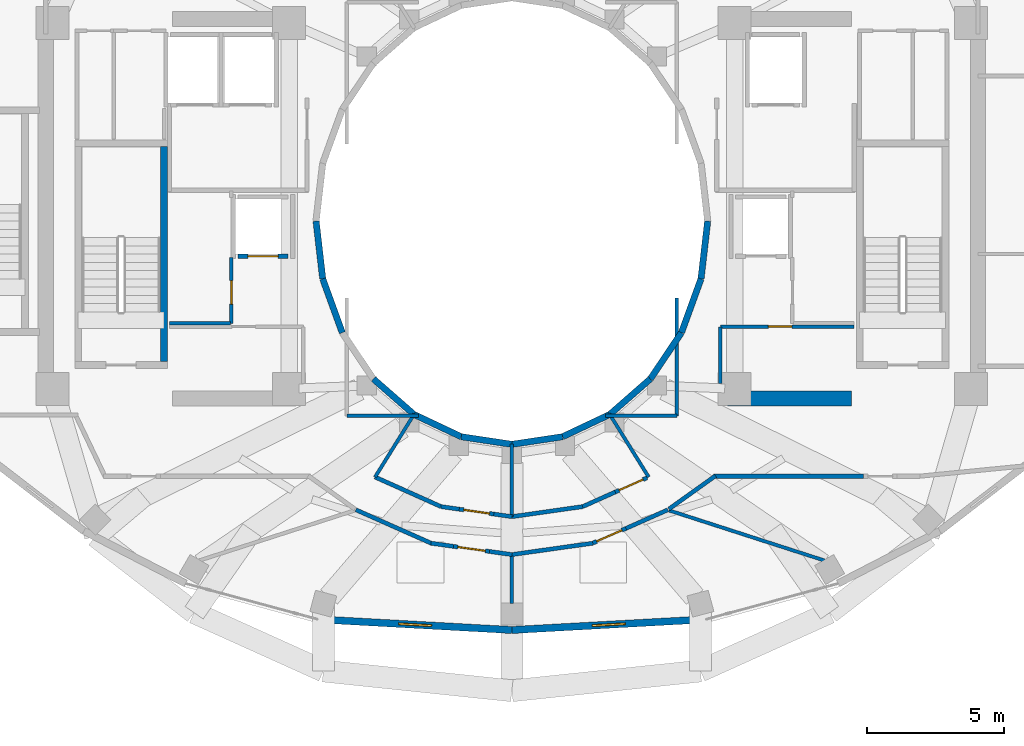
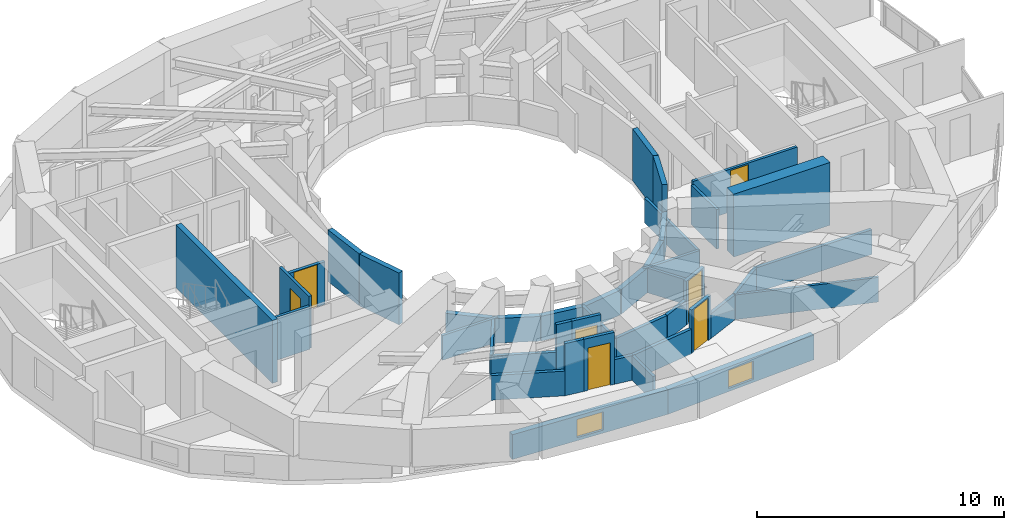
# One storey, part 12 of 19: 44 walls, 7 doors, 2 windows, 9 openings.
"""IFC4 building model written with IfcOpenShell, lengths in metres."""

import ifcopenshell
import ifcopenshell.guid

model = None  # the IFC model being written
_history = None  # IfcOwnerHistory: only IFC2X3 demands one
_inside = {}  # id of a spatial element -> (the spatial element, [elements in it])
_under = {}  # id of a project, library or spatial element -> (it, [spatial elements below it])
_declared = {}  # id of a project -> (the project, [libraries it declares])
_typed = {}  # id of a type object -> (the type object, [elements of that type])
_made_of = {}  # id of a material, layer set ... -> (it, [elements and type objects made of it])


def new_model(schema):
    """Start an empty IFC model of exactly this schema.

    Asked for "IFC4X3", IfcOpenShell would pick the latest addendum, in which some entities
    have other attributes; the version numbers below select the first issue.
    IFC2X3 requires an IfcOwnerHistory on every rooted entity: one is made here for all.
    """
    global model, _history
    if schema == "IFC4X3":
        model = ifcopenshell.file(schema_version=(4, 3, 0, 0))
    else:
        model = ifcopenshell.file(schema=schema)
    _inside.clear()
    _under.clear()
    _declared.clear()
    _typed.clear()
    _made_of.clear()
    _history = None
    if model.schema == "IFC2X3":
        org = make("IfcOrganization", Name="unknown")
        user = make(
            "IfcPersonAndOrganization",
            ThePerson=make("IfcPerson", FamilyName="unknown"),
            TheOrganization=org,
        )
        app = make(
            "IfcApplication",
            ApplicationDeveloper=org,
            Version="unknown",
            ApplicationFullName="unknown",
            ApplicationIdentifier="unknown",
        )
        _history = make(
            "IfcOwnerHistory",
            OwningUser=user,
            OwningApplication=app,
            ChangeAction="ADDED",
            CreationDate=0,
        )
    return model


def make(cls, **values):
    """One entity of the class cls with the attributes given. An attribute that is None is left unset."""
    return model.create_entity(
        cls, **{name: value for name, value in values.items() if value is not None}
    )


def rooted(cls, **values):
    """An entity with a GlobalId (a new one), such as an element, a storey or a relation."""
    return make(cls, GlobalId=ifcopenshell.guid.new(), OwnerHistory=_history, **values)


def si_unit(unit_type, name, prefix=None):
    """IfcSIUnit, for example si_unit("LENGTHUNIT", "METRE", prefix="MILLI")."""
    return make("IfcSIUnit", UnitType=unit_type, Prefix=prefix, Name=name)


def assignment(units):
    """IfcUnitAssignment: the units of a project."""
    return None if units is None else make("IfcUnitAssignment", Units=units)


def point(xyz):
    """IfcCartesianPoint."""
    return None if xyz is None else make("IfcCartesianPoint", Coordinates=xyz)


def direction(xyz):
    """IfcDirection."""
    return None if xyz is None else make("IfcDirection", DirectionRatios=xyz)


def frame(location, z_axis=None, x_axis=None):
    """IfcAxis2Placement3D, a coordinate frame: its origin and axes. An axis left out is left unset."""
    return make(
        "IfcAxis2Placement3D",
        Location=point(location),
        Axis=direction(z_axis),
        RefDirection=direction(x_axis),
    )


def frame_2d(location, x_axis=None):
    """IfcAxis2Placement2D, a coordinate frame in the plane: its origin and x axis."""
    return make(
        "IfcAxis2Placement2D", Location=point(location), RefDirection=direction(x_axis)
    )


def origin():
    """The frame at (0, 0, 0) with its axes left unset."""
    return frame((0.0, 0.0, 0.0))


def place(relative_to, where):
    """IfcLocalPlacement: puts the frame where relative to a parent placement (None: the world)."""
    return make(
        "IfcLocalPlacement", PlacementRelTo=relative_to, RelativePlacement=where
    )


def context(
    kind, dimensions, precision=None, world=None, true_north=None, identifier=None
):
    """IfcGeometricRepresentationContext, for example the 3D "Model" context."""
    return make(
        "IfcGeometricRepresentationContext",
        ContextIdentifier=identifier,
        ContextType=kind,
        CoordinateSpaceDimension=dimensions,
        Precision=precision,
        WorldCoordinateSystem=world,
        TrueNorth=true_north,
    )


def subcontext(parent, identifier, kind, view, scale=None):
    """IfcGeometricRepresentationSubContext, for example "Body" below "Model"."""
    return make(
        "IfcGeometricRepresentationSubContext",
        ContextIdentifier=identifier,
        ContextType=kind,
        ParentContext=parent,
        TargetScale=scale,
        TargetView=view,
    )


def project(units=None, contexts=None):
    """IfcProject with its units and contexts."""
    return rooted(
        "IfcProject",
        Name="project",
        RepresentationContexts=contexts,
        UnitsInContext=assignment(units),
    )


def spatial(cls, under=None, at=None, **own):
    """A site, building, storey or space (cls), placed at a placement, below another one or the project."""
    s = rooted(cls, ObjectPlacement=at, **own)
    if under is not None:
        _under.setdefault(under.id(), (under, []))[1].append(s)
    return s


def profile(cls, at=None, kind="AREA", **sizes):
    """A parametric profile (cls). Its sizes go by their IFC names, for example OverallWidth=200.0."""
    return make(cls, ProfileType=kind, Position=at, **sizes)


def rectangle(**sizes):
    """IfcRectangleProfileDef."""
    return profile("IfcRectangleProfileDef", **sizes)


def extrude(swept, where, along, depth):
    """IfcExtrudedAreaSolid: the profile swept, set in the frame where, extruded along a direction by depth."""
    return make(
        "IfcExtrudedAreaSolid",
        SweptArea=swept,
        Position=where,
        ExtrudedDirection=direction(along),
        Depth=depth,
    )


def shape(context_of_items, identifier, shape_type, items):
    """IfcShapeRepresentation: the items that make up one representation, for example the "Body"."""
    return make(
        "IfcShapeRepresentation",
        ContextOfItems=context_of_items,
        RepresentationIdentifier=identifier,
        RepresentationType=shape_type,
        Items=items,
    )


def material(Name=None, Category=None):
    """IfcMaterial."""
    return make("IfcMaterial", Name=Name, Category=Category)


def layer(
    of_material, thickness, ventilated=None, Name=None, Category=None, Priority=None
):
    """IfcMaterialLayer: one layer of a wall or slab, of a material (None: an air gap)."""
    return make(
        "IfcMaterialLayer",
        Material=of_material,
        LayerThickness=thickness,
        IsVentilated=ventilated,
        Name=Name,
        Category=Category,
        Priority=Priority,
    )


def layer_set(layers, Name=None):
    """IfcMaterialLayerSet."""
    return make("IfcMaterialLayerSet", MaterialLayers=layers, LayerSetName=Name)


def made_of(thing, what):
    """Note that an element or type object is made of a material, layer set ...; save() writes the relation."""
    if what is not None:
        _made_of.setdefault(what.id(), (what, []))[1].append(thing)
    return thing


def type_object(cls, material=None, **own):
    """A type object (cls), such as IfcWallType, which elements share."""
    return made_of(rooted(cls, **own), material)


def element(
    cls,
    number,
    at=None,
    inside=None,
    cuts=None,
    type_object=None,
    material=None,
    context=None,
    identifier="Body",
    shape_type=None,
    held_by="IfcProductDefinitionShape",
    body=None,
    shapes=None,
    **own,
):
    """One element of the class cls, such as IfcWall. Its Tag is "e" and its number.

    at: its placement. inside: the storey or other place that contains it. cuts: it is an
    opening in that element (IfcRelVoidsElement). A single representation is given by context,
    identifier, shape_type and body (its items); several are given by shapes. held_by: the class
    of the entity that holds the representations. save() writes the other relations.
    """
    e = rooted(cls, Tag="e%d" % number, ObjectPlacement=at, **own)
    if body is not None:
        shapes = [shape(context, identifier, shape_type, body)]
    if shapes is not None:
        e.Representation = make(held_by, Representations=shapes)
    if inside is not None:
        _inside.setdefault(inside.id(), (inside, []))[1].append(e)
    if cuts is not None:
        rooted(
            "IfcRelVoidsElement", RelatingBuildingElement=cuts, RelatedOpeningElement=e
        )
    if type_object is not None:
        _typed.setdefault(type_object.id(), (type_object, []))[1].append(e)
    return made_of(e, material)


def fill(opening, filler):
    """IfcRelFillsElement: the door or window that sits in an opening."""
    return rooted(
        "IfcRelFillsElement",
        RelatingOpeningElement=opening,
        RelatedBuildingElement=filler,
    )


def aggregate(whole, parts):
    """IfcRelAggregates: a whole, such as a stair, and the parts it consists of."""
    return rooted("IfcRelAggregates", RelatingObject=whole, RelatedObjects=parts)


def save(model, path):
    """Write the relations noted so far, then the file.

    IfcRelAggregates (storeys below a building ...), IfcRelContainedInSpatialStructure (elements
    in a storey), IfcRelDefinesByType, IfcRelAssociatesMaterial and IfcRelDeclares: one each for
    every whole, place, type object, material and project.
    """
    for whole, parts in _under.values():
        aggregate(whole, parts)
    for where, things in _inside.values():
        rooted(
            "IfcRelContainedInSpatialStructure",
            RelatedElements=things,
            RelatingStructure=where,
        )
    for kind, things in _typed.values():
        rooted("IfcRelDefinesByType", RelatedObjects=things, RelatingType=kind)
    for what, things in _made_of.values():
        rooted("IfcRelAssociatesMaterial", RelatedObjects=things, RelatingMaterial=what)
    for by, libraries in _declared.values():
        rooted("IfcRelDeclares", RelatingContext=by, RelatedDefinitions=libraries)
    model.write(path)


model = new_model("IFC4")

# Units and contexts
model_context = context("Model", 3, precision=1e-05, world=origin(), true_north=direction((0.0, 1.0)))
body_context = subcontext(model_context, "Body", "Model", "MODEL_VIEW")
ifc_project = project(units=[si_unit("LENGTHUNIT", "METRE"), si_unit("AREAUNIT", "SQUARE_METRE"), si_unit("VOLUMEUNIT", "CUBIC_METRE"), si_unit("PLANEANGLEUNIT", "RADIAN"), si_unit("MASSUNIT", "GRAM", prefix="KILO")], contexts=[model_context])

# Site, building, storey
site_placement = place(None, origin())
site = spatial("IfcSite", under=ifc_project, at=site_placement, CompositionType="ELEMENT")
building_placement = place(site_placement, origin())
building = spatial("IfcBuilding", under=site, at=building_placement, Name="Solvane Sanctuary Tower", CompositionType="ELEMENT")
storey_placement = place(building_placement, frame((0.0, 0.0, 207.800048828125)))
storey = spatial("IfcBuildingStorey", under=building, at=storey_placement, Name="L63", CompositionType="ELEMENT", Elevation=207.800048828125)

# Walls
ifc_material_1 = material(Name="Concrete C50/60", Category="concrete")
ifc_layer_1 = layer(ifc_material_1, 0.550048828125, Name="Concrete C50/60")
ifc_layer_set_1 = layer_set([ifc_layer_1], Name="Concrete C50/60")
wall_type_1 = type_object("IfcWallType", Name="Wall W-CORE-550", PredefinedType="SHEAR", material=ifc_layer_set_1)
wall_1_placement = place(storey_placement, frame((39.85009765625, 16.550048828125, 0.0), z_axis=(0.0, 0.0, 1.0), x_axis=(1.0, 0.0, 0.0)))
element("IfcWall", 1, at=wall_1_placement, inside=storey, type_object=wall_type_1, Name="L63 Core Shear Wall EC-S", PredefinedType="SHEAR", context=body_context, shape_type="SweptSolid", body=[
    extrude(rectangle(XDim=4.5, YDim=0.550048828125, at=frame_2d((2.25, 0.0))), origin(), (0.0, 0.0, 1.0), 3.099853515625),
])
ifc_material_2 = material(Name="Acoustic Gypsum Partition Board")
ifc_layer_2 = layer(ifc_material_2, 0.14990234375, Name="Acoustic Gypsum Partition Board")
ifc_layer_set_2 = layer_set([ifc_layer_2], Name="Acoustic Gypsum Partition Board")
wall_type_2 = type_object("IfcWallType", Name="Wall W-CORR-150", PredefinedType="PARTITIONING", material=ifc_layer_set_2)
wall_2_placement = place(storey_placement, frame((27.01904296875, 13.694091796875, 0.0), z_axis=(0.0, 0.0, 1.0), x_axis=(0.912628408652, -0.408790151203, 0.0)))
element("IfcWall", 2, at=wall_2_placement, inside=storey, type_object=wall_type_2, Name="L63 South Light-Well Corridor Wall 1", PredefinedType="PARTITIONING", context=body_context, shape_type="SweptSolid", body=[
    extrude(rectangle(XDim=2.637939453125, YDim=0.14990234375, at=frame_2d((1.31884765625, 0.0))), origin(), (0.0, 0.0, 1.0), 1.219970703125),
])
wall_3_placement = place(storey_placement, frame((29.423095703125, 12.61669921875, 0.0), z_axis=(0.0, 0.0, 1.0), x_axis=(0.990109198956, -0.140298874346, 0.0)))
element("IfcWall", 3, at=wall_3_placement, inside=storey, type_object=wall_type_2, Name="L63 South Light-Well Corridor Wall 1", PredefinedType="PARTITIONING", context=body_context, shape_type="SweptSolid", body=[
    extrude(rectangle(XDim=0.669921875, YDim=0.14990234375, at=frame_2d((0.3349609375, 0.0))), origin(), (0.0, 0.0, 1.0), 2.574951171875),
])

# Wall, opening, door
wall_4_placement = place(storey_placement, frame((30.08642578125, 12.522705078125, 0.0), z_axis=(0.0, 0.0, 1.0), x_axis=(0.990049212475, -0.140721557967, 0.0)))
wall_4 = element("IfcWall", 4, at=wall_4_placement, inside=storey, type_object=wall_type_2, Name="L63 South Light-Well Corridor Wall 1", PredefinedType="PARTITIONING", context=body_context, shape_type="SweptSolid", body=[
    extrude(rectangle(XDim=1.27001953125, YDim=0.14990234375, at=frame_2d((0.635009765625, 0.0))), origin(), (0.0, 0.0, 1.0), 2.574951171875),
])
opening_1_placement = place(wall_4_placement, frame((0.159912109375, 0.0, 0.0)))
opening_1 = element("IfcOpeningElement", 5, at=opening_1_placement, cuts=wall_4, Name="Opening D-L63-16", PredefinedType="OPENING", context=body_context, shape_type="SweptSolid", body=[
    extrude(rectangle(XDim=0.949951171875, YDim=2.10009765625, at=frame_2d((0.47509765625, 1.050048828125))), frame((0.0, 0.0849609375, 0.0), z_axis=(0.0, -1.0, 0.0), x_axis=(1.0, 0.0, 0.0)), (0.0, 0.0, 1.0), 0.169921875),
])
ifc_material_3 = material(Name="Engineered Tropical Hardwood", Category="wood")
door_type_1 = type_object("IfcDoorType", Name="Door D-ROOM-950", OperationType="NOTDEFINED", PredefinedType="DOOR", material=ifc_material_3)
door_1_placement = place(opening_1_placement, origin())
door_1 = element("IfcDoor", 6, at=door_1_placement, inside=storey, type_object=door_type_1, Name="L63 South Light-Well Alcove Door 1", OperationType="SINGLE_SWING_RIGHT", OverallHeight=2.10009765625, OverallWidth=0.949951171875, PredefinedType="DOOR", context=body_context, shape_type="SweptSolid", body=[
    extrude(rectangle(XDim=0.949951171875, YDim=2.10009765625, at=frame_2d((0.47509765625, 1.050048828125))), frame((0.0, 0.02490234375, 0.0), z_axis=(0.0, -1.0, 0.0), x_axis=(1.0, 0.0, 0.0)), (0.0, 0.0, 1.0), 0.050048828125),
])
fill(opening_1, door_1)

# Walls
wall_5_placement = place(storey_placement, frame((31.34375, 12.343994140625, 0.0), z_axis=(0.0, 0.0, 1.0), x_axis=(0.990102022055, -0.140349513436, 0.0)))
element("IfcWall", 7, at=wall_5_placement, inside=storey, type_object=wall_type_2, Name="L63 South Light-Well Corridor Wall 1", PredefinedType="PARTITIONING", context=body_context, shape_type="SweptSolid", body=[
    extrude(rectangle(XDim=0.669677734375, YDim=0.14990234375, at=frame_2d((0.3349609375, 0.0))), origin(), (0.0, 0.0, 1.0), 1.219970703125),
])
wall_6_placement = place(storey_placement, frame((31.9931640625, 12.25, 0.0), z_axis=(0.0, 0.0, 1.0), x_axis=(0.990078185178, 0.140517569133, 0.0)))
element("IfcWall", 8, at=wall_6_placement, inside=storey, type_object=wall_type_2, Name="L63 South Light-Well Corridor Wall 2", PredefinedType="PARTITIONING", context=body_context, shape_type="SweptSolid", body=[
    extrude(rectangle(XDim=2.609619140625, YDim=0.14990234375, at=frame_2d((1.3046875, 0.0))), origin(), (0.0, 0.0, 1.0), 1.219970703125),
])
wall_7_placement = place(storey_placement, frame((34.573486328125, 12.61572265625, 0.0), z_axis=(0.0, 0.0, 1.0), x_axis=(0.912635304138, 0.408774756609, 0.0)))
element("IfcWall", 9, at=wall_7_placement, inside=storey, type_object=wall_type_2, Name="L63 South Light-Well Corridor Wall 2", PredefinedType="PARTITIONING", context=body_context, shape_type="SweptSolid", body=[
    extrude(rectangle(XDim=1.296630859375, YDim=0.14990234375, at=frame_2d((0.6484375, 0.0))), origin(), (0.0, 0.0, 1.0), 1.219970703125),
])

# Wall, opening, door
wall_8_placement = place(storey_placement, frame((35.7568359375, 13.145751953125, 0.0), z_axis=(0.0, 0.0, 1.0), x_axis=(0.912650323162, 0.408741223308, 0.0)))
wall_8 = element("IfcWall", 10, at=wall_8_placement, inside=storey, type_object=wall_type_2, Name="L63 South Light-Well Corridor Wall 2", PredefinedType="PARTITIONING", context=body_context, shape_type="SweptSolid", body=[
    extrude(rectangle(XDim=1.269775390625, YDim=0.14990234375, at=frame_2d((0.634765625, 0.0))), origin(), (0.0, 0.0, 1.0), 2.159912109375),
])
opening_2_placement = place(wall_8_placement, frame((0.159912109375, 0.0, 0.0)))
opening_2 = element("IfcOpeningElement", 11, at=opening_2_placement, cuts=wall_8, Name="Opening D-L63-17", PredefinedType="OPENING", context=body_context, shape_type="SweptSolid", body=[
    extrude(rectangle(XDim=0.949951171875, YDim=2.10009765625, at=frame_2d((0.47509765625, 1.050048828125))), frame((0.0, 0.0849609375, 0.0), z_axis=(0.0, -1.0, 0.0), x_axis=(1.0, 0.0, 0.0)), (0.0, 0.0, 1.0), 0.169921875),
])
door_2_placement = place(opening_2_placement, origin())
door_2 = element("IfcDoor", 12, at=door_2_placement, inside=storey, type_object=door_type_1, Name="L63 South Light-Well Alcove Door 2", OperationType="SINGLE_SWING_LEFT", OverallHeight=2.10009765625, OverallWidth=0.949951171875, PredefinedType="DOOR", context=body_context, shape_type="SweptSolid", body=[
    extrude(rectangle(XDim=0.949951171875, YDim=2.10009765625, at=frame_2d((0.47509765625, 1.050048828125))), frame((0.0, 0.02490234375, 0.0), z_axis=(0.0, -1.0, 0.0), x_axis=(1.0, 0.0, 0.0)), (0.0, 0.0, 1.0), 0.050048828125),
])
fill(opening_2, door_2)

# Walls
wall_9_placement = place(storey_placement, frame((37.709716796875, 12.527099609375, 0.0), z_axis=(0.0, 0.0, 1.0), x_axis=(0.813780999276, 0.581171648669, 0.0)))
element("IfcWall", 13, at=wall_9_placement, inside=storey, type_object=wall_type_2, Name="L63 SE Corner Throat Wall", PredefinedType="PARTITIONING", context=body_context, shape_type="SweptSolid", body=[
    extrude(rectangle(XDim=2.082275390625, YDim=0.14990234375, at=frame_2d((1.041015625, 0.0))), origin(), (0.0, 0.0, 1.0), 1.219970703125),
])
wall_10_placement = place(storey_placement, frame((39.330078125, 13.719970703125, 0.0), z_axis=(0.0, 0.0, 1.0), x_axis=(1.0, 0.0, 0.0)))
element("IfcWall", 14, at=wall_10_placement, inside=storey, type_object=wall_type_2, Name="L63 SE Corner Corridor Wall", PredefinedType="PARTITIONING", context=body_context, shape_type="SweptSolid", body=[
    extrude(rectangle(XDim=5.453857421875, YDim=0.14990234375, at=frame_2d((2.72705078125, 0.0))), origin(), (0.0, 0.0, 1.0), 1.219970703125),
])
wall_11_placement = place(storey_placement, frame((26.328125, 12.499267578125, 0.0), z_axis=(0.0, 0.0, 1.0), x_axis=(0.914139569865, -0.405399613724, 0.0)))
element("IfcWall", 15, at=wall_11_placement, inside=storey, type_object=wall_type_2, Name="L63 Unit Corridor Wall S1", PredefinedType="PARTITIONING", context=body_context, shape_type="SweptSolid", body=[
    extrude(rectangle(XDim=3.005126953125, YDim=0.14990234375, at=frame_2d((1.50244140625, 0.0))), origin(), (0.0, 0.0, 1.0), 1.219970703125),
])
wall_12_placement = place(storey_placement, frame((29.059814453125, 11.285400390625, 0.0), z_axis=(0.0, 0.0, 1.0), x_axis=(0.990241972526, -0.139358659032, 0.0)))
element("IfcWall", 16, at=wall_12_placement, inside=storey, type_object=wall_type_2, Name="L63 Unit Corridor Wall S1", PredefinedType="PARTITIONING", context=body_context, shape_type="SweptSolid", body=[
    extrude(rectangle(XDim=0.82861328125, YDim=0.14990234375, at=frame_2d((0.414306640625, 0.0))), origin(), (0.0, 0.0, 1.0), 2.574951171875),
])

# Wall, opening, door
wall_13_placement = place(storey_placement, frame((29.88037109375, 11.169921875, 0.0), z_axis=(0.0, 0.0, 1.0), x_axis=(0.990203107572, -0.139634543559, 0.0)))
wall_13 = element("IfcWall", 17, at=wall_13_placement, inside=storey, type_object=wall_type_2, Name="L63 Unit Corridor Wall S1", PredefinedType="PARTITIONING", context=body_context, shape_type="SweptSolid", body=[
    extrude(rectangle(XDim=1.320068359375, YDim=0.14990234375, at=frame_2d((0.66015625, 0.0))), origin(), (0.0, 0.0, 1.0), 2.574951171875),
])
opening_3_placement = place(wall_13_placement, frame((0.159912109375, 0.0, 0.0)))
opening_3 = element("IfcOpeningElement", 18, at=opening_3_placement, cuts=wall_13, Name="Opening D-L63-26", PredefinedType="OPENING", context=body_context, shape_type="SweptSolid", body=[
    extrude(rectangle(XDim=1.0, YDim=2.10009765625, at=frame_2d((0.5, 1.050048828125))), frame((0.0, 0.0849609375, 0.0), z_axis=(0.0, -1.0, 0.0), x_axis=(1.0, 0.0, 0.0)), (0.0, 0.0, 1.0), 0.169921875),
])
door_type_2 = type_object("IfcDoorType", Name="Door D-UNIT", OperationType="NOTDEFINED", PredefinedType="DOOR", material=ifc_material_3)
door_3_placement = place(opening_3_placement, origin())
door_3 = element("IfcDoor", 19, at=door_3_placement, inside=storey, type_object=door_type_2, Name="L63 Unit Entrance Door S1", OperationType="SINGLE_SWING_RIGHT", OverallHeight=2.10009765625, OverallWidth=1.0, PredefinedType="DOOR", context=body_context, shape_type="SweptSolid", body=[
    extrude(rectangle(XDim=1.0, YDim=2.10009765625, at=frame_2d((0.5, 1.050048828125))), frame((0.0, 0.02490234375, 0.0), z_axis=(0.0, -1.0, 0.0), x_axis=(1.0, 0.0, 0.0)), (0.0, 0.0, 1.0), 0.050048828125),
])
fill(opening_3, door_3)

# Walls
wall_14_placement = place(storey_placement, frame((31.1875, 10.985595703125, 0.0), z_axis=(0.0, 0.0, 1.0), x_axis=(0.990236248115, -0.139399328976, 0.0)))
element("IfcWall", 20, at=wall_14_placement, inside=storey, type_object=wall_type_2, Name="L63 Unit Corridor Wall S1", PredefinedType="PARTITIONING", context=body_context, shape_type="SweptSolid", body=[
    extrude(rectangle(XDim=0.828369140625, YDim=0.14990234375, at=frame_2d((0.4140625, 0.0))), origin(), (0.0, 0.0, 1.0), 1.219970703125),
])
wall_15_placement = place(storey_placement, frame((31.9921875, 10.8701171875, 0.0), z_axis=(0.0, 0.0, 1.0), x_axis=(0.99022315503, 0.139492305317, 0.0)))
element("IfcWall", 21, at=wall_15_placement, inside=storey, type_object=wall_type_2, Name="L63 Unit Corridor Wall S2", PredefinedType="PARTITIONING", context=body_context, shape_type="SweptSolid", body=[
    extrude(rectangle(XDim=2.97705078125, YDim=0.14990234375, at=frame_2d((1.488525390625, 0.0))), origin(), (0.0, 0.0, 1.0), 1.219970703125),
])

# Wall, opening, door
wall_16_placement = place(storey_placement, frame((34.940185546875, 11.2880859375, 0.0), z_axis=(0.0, 0.0, 1.0), x_axis=(0.914215319933, 0.405228761071, 0.0)))
wall_16 = element("IfcWall", 22, at=wall_16_placement, inside=storey, type_object=wall_type_2, Name="L63 Unit Corridor Wall S2", PredefinedType="PARTITIONING", context=body_context, shape_type="SweptSolid", body=[
    extrude(rectangle(XDim=1.320068359375, YDim=0.14990234375, at=frame_2d((0.66015625, 0.0))), origin(), (0.0, 0.0, 1.0), 2.159912109375),
])
opening_4_placement = place(wall_16_placement, frame((0.159912109375, 0.0, 0.0)))
opening_4 = element("IfcOpeningElement", 23, at=opening_4_placement, cuts=wall_16, Name="Opening D-L63-27", PredefinedType="OPENING", context=body_context, shape_type="SweptSolid", body=[
    extrude(rectangle(XDim=1.0, YDim=2.10009765625, at=frame_2d((0.5, 1.050048828125))), frame((0.0, 0.0849609375, 0.0), z_axis=(0.0, -1.0, 0.0), x_axis=(1.0, 0.0, 0.0)), (0.0, 0.0, 1.0), 0.169921875),
])
door_4_placement = place(opening_4_placement, origin())
door_4 = element("IfcDoor", 24, at=door_4_placement, inside=storey, type_object=door_type_2, Name="L63 Unit Entrance Door S2", OperationType="SINGLE_SWING_LEFT", OverallHeight=2.10009765625, OverallWidth=1.0, PredefinedType="DOOR", context=body_context, shape_type="SweptSolid", body=[
    extrude(rectangle(XDim=1.0, YDim=2.10009765625, at=frame_2d((0.5, 1.050048828125))), frame((0.0, 0.02490234375, 0.0), z_axis=(0.0, -1.0, 0.0), x_axis=(1.0, 0.0, 0.0)), (0.0, 0.0, 1.0), 0.050048828125),
])
fill(opening_4, door_4)

# Wall
wall_17_placement = place(storey_placement, frame((36.14697265625, 11.822998046875, 0.0), z_axis=(0.0, 0.0, 1.0), x_axis=(0.914137159691, 0.405405048406, 0.0)))
element("IfcWall", 25, at=wall_17_placement, inside=storey, type_object=wall_type_2, Name="L63 Unit Corridor Wall S2", PredefinedType="PARTITIONING", context=body_context, shape_type="SweptSolid", body=[
    extrude(rectangle(XDim=1.668212890625, YDim=0.14990234375, at=frame_2d((0.833984375, 0.0))), origin(), (0.0, 0.0, 1.0), 1.219970703125),
])

# Wall, opening, window
ifc_material_4 = material(Name="Precast concrete C40/50", Category="concrete")
ifc_layer_3 = layer(ifc_material_4, 0.260009765625, Name="Precast concrete C40/50")
ifc_layer_set_3 = layer_set([ifc_layer_3], Name="Precast concrete C40/50")
wall_type_3 = type_object("IfcWallType", Name="Wall W-EXT-250", PredefinedType="STANDARD", material=ifc_layer_set_3)
wall_18_placement = place(storey_placement, frame((24.95703125, 8.515380859375, 0.0), z_axis=(0.0, 0.0, 1.0), x_axis=(0.998490239527, -0.054929423535, 0.0)))
wall_18 = element("IfcWall", 26, at=wall_18_placement, inside=storey, type_object=wall_type_3, Name="L63 Ceramic-Printed Facade Wall 17", PredefinedType="STANDARD", context=body_context, shape_type="SweptSolid", body=[
    extrude(rectangle(XDim=7.0537109375, YDim=0.260009765625, at=frame_2d((3.52685546875, 0.0))), origin(), (0.0, 0.0, 1.0), 1.219970703125),
])
opening_5_placement = place(wall_18_placement, frame((2.9267578125, 0.0, 0.14990234375)))
opening_5 = element("IfcOpeningElement", 27, at=opening_5_placement, cuts=wall_18, Name="Opening WN-OPER-1200", PredefinedType="OPENING", context=body_context, shape_type="SweptSolid", body=[
    extrude(rectangle(XDim=1.199951171875, YDim=0.89990234375, at=frame_2d((0.60009765625, 0.449951171875))), frame((0.0, 0.139892578125, 0.0), z_axis=(0.0, -1.0, 0.0), x_axis=(1.0, 0.0, 0.0)), (0.0, 0.0, 1.0), 0.280029296875),
])
ifc_material_5 = material(Name="Dark Ceramic-Fritted Low-E Glass", Category="glass")
window_type = type_object("IfcWindowType", Name="Window WN-OPER-1200", PartitioningType="SINGLE_PANEL", PredefinedType="WINDOW", material=ifc_material_5)
window_1_placement = place(opening_5_placement, origin())
window_1 = element("IfcWindow", 28, at=window_1_placement, inside=storey, type_object=window_type, Name="L63 Operable Facade Window 17", OverallHeight=0.89990234375, OverallWidth=1.199951171875, PartitioningType="SINGLE_PANEL", PredefinedType="WINDOW", context=body_context, shape_type="SweptSolid", body=[
    extrude(rectangle(XDim=1.199951171875, YDim=0.89990234375, at=frame_2d((0.60009765625, 0.449951171875))), frame((0.0, 0.030029296875, 0.0), z_axis=(0.0, -1.0, 0.0), x_axis=(1.0, 0.0, 0.0)), (0.0, 0.0, 1.0), 0.06005859375),
])
fill(opening_5, window_1)

wall_19_placement = place(storey_placement, frame((32.0, 8.1279296875, 0.0), z_axis=(0.0, 0.0, 1.0), x_axis=(0.998490239527, 0.054929423535, 0.0)))
wall_19 = element("IfcWall", 29, at=wall_19_placement, inside=storey, type_object=wall_type_3, Name="L63 Ceramic-Printed Facade Wall 18", PredefinedType="STANDARD", context=body_context, shape_type="SweptSolid", body=[
    extrude(rectangle(XDim=7.0537109375, YDim=0.260009765625, at=frame_2d((3.52685546875, 0.0))), origin(), (0.0, 0.0, 1.0), 1.219970703125),
])
opening_6_placement = place(wall_19_placement, frame((2.9267578125, 0.0, 0.14990234375)))
opening_6 = element("IfcOpeningElement", 30, at=opening_6_placement, cuts=wall_19, Name="Opening WN-OPER-1200", PredefinedType="OPENING", context=body_context, shape_type="SweptSolid", body=[
    extrude(rectangle(XDim=1.199951171875, YDim=0.89990234375, at=frame_2d((0.60009765625, 0.449951171875))), frame((0.0, 0.139892578125, 0.0), z_axis=(0.0, -1.0, 0.0), x_axis=(1.0, 0.0, 0.0)), (0.0, 0.0, 1.0), 0.280029296875),
])
window_2_placement = place(opening_6_placement, origin())
window_2 = element("IfcWindow", 31, at=window_2_placement, inside=storey, type_object=window_type, Name="L63 Operable Facade Window 18", OverallHeight=0.89990234375, OverallWidth=1.199951171875, PartitioningType="SINGLE_PANEL", PredefinedType="WINDOW", context=body_context, shape_type="SweptSolid", body=[
    extrude(rectangle(XDim=1.199951171875, YDim=0.89990234375, at=frame_2d((0.60009765625, 0.449951171875))), frame((0.0, 0.030029296875, 0.0), z_axis=(0.0, -1.0, 0.0), x_axis=(1.0, 0.0, 0.0)), (0.0, 0.0, 1.0), 0.06005859375),
])
fill(opening_6, window_2)

# Walls
ifc_layer_4 = layer(ifc_material_4, 0.22998046875, Name="Precast concrete C40/50")
ifc_layer_set_4 = layer_set([ifc_layer_4], Name="Precast concrete C40/50")
wall_type_4 = type_object("IfcWallType", Name="Wall W-EXT-SP220", PredefinedType="STANDARD", material=ifc_layer_set_4)
wall_20_placement = place(storey_placement, frame((24.8798828125, 23.0, 0.0), z_axis=(0.0, 0.0, 1.0), x_axis=(0.114711713601, -0.993398823617, 0.0)))
element("IfcWall", 32, at=wall_20_placement, inside=storey, type_object=wall_type_4, Name="L63 Central Light-Well Wall 12", PredefinedType="STANDARD", context=body_context, shape_type="SweptSolid", body=[
    extrude(rectangle(XDim=2.115478515625, YDim=0.22998046875, at=frame_2d((1.0576171875, 0.0))), origin(), (0.0, 0.0, 1.0), 2.56005859375),
])
wall_21_placement = place(storey_placement, frame((25.12255859375, 20.8984375, 0.0), z_axis=(0.0, 0.0, 1.0), x_axis=(0.341423187295, -0.93990968033, 0.0)))
element("IfcWall", 33, at=wall_21_placement, inside=storey, type_object=wall_type_4, Name="L63 Central Light-Well Wall 13", PredefinedType="STANDARD", context=body_context, shape_type="SweptSolid", body=[
    extrude(rectangle(XDim=2.083740234375, YDim=0.22998046875, at=frame_2d((1.0419921875, 0.0))), origin(), (0.0, 0.0, 1.0), 2.56005859375),
])
wall_22_placement = place(storey_placement, frame((26.96533203125, 17.25830078125, 0.0), z_axis=(0.0, 0.0, 1.0), x_axis=(0.752576694707, -0.658504607869, 0.0)))
element("IfcWall", 34, at=wall_22_placement, inside=storey, type_object=wall_type_4, Name="L63 Central Light-Well Wall 15", PredefinedType="STANDARD", context=body_context, shape_type="SweptSolid", body=[
    extrude(rectangle(XDim=1.95947265625, YDim=0.22998046875, at=frame_2d((0.979736328125, 0.0))), origin(), (0.0, 0.0, 1.0), 1.219970703125),
])
wall_23_placement = place(storey_placement, frame((28.43994140625, 15.968017578125, 0.0), z_axis=(0.0, 0.0, 1.0), x_axis=(0.904179699603, -0.427152280606, 0.0)))
element("IfcWall", 35, at=wall_23_placement, inside=storey, type_object=wall_type_4, Name="L63 Central Light-Well Wall 16", PredefinedType="STANDARD", context=body_context, shape_type="SweptSolid", body=[
    extrude(rectangle(XDim=1.899169921875, YDim=0.22998046875, at=frame_2d((0.94970703125, 0.0))), origin(), (0.0, 0.0, 1.0), 1.219970703125),
])
for number, where, z_axis, x_axis, name in (
    (36, (30.1572265625, 15.15673828125, 0.0), (0.0, 0.0, 1.0), (0.988901730308, -0.148571086668, 0.0), "L63 Central Light-Well Wall 17"),
    (37, (32.0, 14.8798828125, 0.0), (0.0, 0.0, 1.0), (0.988901730308, 0.148571086668, 0.0), "L63 Central Light-Well Wall 18"),
):
    element("IfcWall", number, at=place(storey_placement, frame(where, z_axis=z_axis, x_axis=x_axis)), inside=storey, type_object=wall_type_4, Name=name, PredefinedType="STANDARD", context=body_context, shape_type="SweptSolid", body=[
        extrude(rectangle(XDim=1.863525390625, YDim=0.22998046875, at=frame_2d((0.931640625, 0.0))), origin(), (0.0, 0.0, 1.0), 1.219970703125),
    ])
wall_24_placement = place(storey_placement, frame((33.8427734375, 15.15673828125, 0.0), z_axis=(0.0, 0.0, 1.0), x_axis=(0.904179699603, 0.427152280606, 0.0)))
element("IfcWall", 38, at=wall_24_placement, inside=storey, type_object=wall_type_4, Name="L63 Central Light-Well Wall 19", PredefinedType="STANDARD", context=body_context, shape_type="SweptSolid", body=[
    extrude(rectangle(XDim=1.899169921875, YDim=0.22998046875, at=frame_2d((0.94970703125, 0.0))), origin(), (0.0, 0.0, 1.0), 1.219970703125),
])
wall_25_placement = place(storey_placement, frame((35.56005859375, 15.968017578125, 0.0), z_axis=(0.0, 0.0, 1.0), x_axis=(0.752576694707, 0.658504607869, 0.0)))
element("IfcWall", 39, at=wall_25_placement, inside=storey, type_object=wall_type_4, Name="L63 Central Light-Well Wall 20", PredefinedType="STANDARD", context=body_context, shape_type="SweptSolid", body=[
    extrude(rectangle(XDim=1.95947265625, YDim=0.22998046875, at=frame_2d((0.979736328125, 0.0))), origin(), (0.0, 0.0, 1.0), 1.219970703125),
])
wall_26_placement = place(storey_placement, frame((37.03466796875, 17.25830078125, 0.0), z_axis=(0.0, 0.0, 1.0), x_axis=(0.558197800898, 0.829707909492, 0.0)))
element("IfcWall", 40, at=wall_26_placement, inside=storey, type_object=wall_type_4, Name="L63 Central Light-Well Wall 21", PredefinedType="STANDARD", context=body_context, shape_type="SweptSolid", body=[
    extrude(rectangle(XDim=2.02685546875, YDim=0.22998046875, at=frame_2d((1.013427734375, 0.0))), origin(), (0.0, 0.0, 1.0), 1.219970703125),
])
wall_27_placement = place(storey_placement, frame((38.166015625, 18.93994140625, 0.0), z_axis=(0.0, 0.0, 1.0), x_axis=(0.341423187295, 0.93990968033, 0.0)))
element("IfcWall", 41, at=wall_27_placement, inside=storey, type_object=wall_type_4, Name="L63 Central Light-Well Wall 22", PredefinedType="STANDARD", context=body_context, shape_type="SweptSolid", body=[
    extrude(rectangle(XDim=2.083740234375, YDim=0.22998046875, at=frame_2d((1.0419921875, 0.0))), origin(), (0.0, 0.0, 1.0), 2.56005859375),
])
wall_28_placement = place(storey_placement, frame((38.87744140625, 20.8984375, 0.0), z_axis=(0.0, 0.0, 1.0), x_axis=(0.114711713601, 0.993398823617, 0.0)))
element("IfcWall", 42, at=wall_28_placement, inside=storey, type_object=wall_type_4, Name="L63 Central Light-Well Wall 23", PredefinedType="STANDARD", context=body_context, shape_type="SweptSolid", body=[
    extrude(rectangle(XDim=2.115478515625, YDim=0.22998046875, at=frame_2d((1.0576171875, 0.0))), origin(), (0.0, 0.0, 1.0), 2.56005859375),
])

# Wall, opening, door
ifc_layer_5 = layer(ifc_material_2, 0.125, Name="Acoustic Gypsum Partition Board")
ifc_layer_set_5 = layer_set([ifc_layer_5], Name="Acoustic Gypsum Partition Board")
wall_type_5 = type_object("IfcWallType", Name="Wall W-PART-125", PredefinedType="PARTITIONING", material=ifc_layer_set_5)
wall_29_placement = place(storey_placement, frame((39.580078125, 19.159912109375, 0.0), z_axis=(0.0, 0.0, 1.0), x_axis=(1.0, 0.0, 0.0)))
wall_29 = element("IfcWall", 43, at=wall_29_placement, inside=storey, type_object=wall_type_5, Name="L63 Reclaimed Room Partition PLE", PredefinedType="PARTITIONING", context=body_context, shape_type="SweptSolid", body=[
    extrude(rectangle(XDim=4.869873046875, YDim=0.125, at=frame_2d((2.43505859375, 0.0))), origin(), (0.0, 0.0, 1.0), 2.119873046875),
])
opening_7_placement = place(wall_29_placement, frame((1.748291015625, 0.0, 0.0)))
opening_7 = element("IfcOpeningElement", 44, at=opening_7_placement, cuts=wall_29, Name="Opening D-L63-07", PredefinedType="OPENING", context=body_context, shape_type="SweptSolid", body=[
    extrude(rectangle(XDim=0.85009765625, YDim=2.050048828125, at=frame_2d((0.425048828125, 1.02490234375))), frame((0.0, 0.072509765625, 0.0), z_axis=(0.0, -1.0, 0.0), x_axis=(1.0, 0.0, 0.0)), (0.0, 0.0, 1.0), 0.14501953125),
])
ifc_material_6 = material(Name="Architectural Stainless Steel 316", Category="steel")
door_type_3 = type_object("IfcDoorType", Name="Door D-RISER", OperationType="NOTDEFINED", PredefinedType="DOOR", material=ifc_material_6)
door_5_placement = place(opening_7_placement, origin())
door_5 = element("IfcDoor", 45, at=door_5_placement, inside=storey, type_object=door_type_3, Name="L63 Reclaimed Room Door PLE-1", OperationType="SINGLE_SWING_LEFT", OverallHeight=2.050048828125, OverallWidth=0.85009765625, PredefinedType="DOOR", context=body_context, shape_type="SweptSolid", body=[
    extrude(rectangle(XDim=0.85009765625, YDim=2.050048828125, at=frame_2d((0.425048828125, 1.02490234375))), frame((0.0, 0.02490234375, 0.0), z_axis=(0.0, -1.0, 0.0), x_axis=(1.0, 0.0, 0.0)), (0.0, 0.0, 1.0), 0.050048828125),
])
fill(opening_7, door_5)

# Wall
wall_30_placement = place(storey_placement, frame((39.580078125, 17.10009765625, 0.0), z_axis=(0.0, 0.0, 1.0), x_axis=(0.0, 1.0, 0.0)))
element("IfcWall", 46, at=wall_30_placement, inside=storey, type_object=wall_type_5, Name="L63 Reclaimed Room Closer Wall PLE-1", PredefinedType="PARTITIONING", context=body_context, shape_type="SweptSolid", body=[
    extrude(rectangle(XDim=2.039794921875, YDim=0.125, at=frame_2d((1.02001953125, 0.0))), origin(), (0.0, 0.0, 1.0), 1.951904296875),
])

# Wall, opening, door
wall_31_placement = place(storey_placement, frame((21.800048828125, 19.280029296875, 0.0), z_axis=(0.0, 0.0, 1.0), x_axis=(0.0, 1.0, 0.0)))
wall_31 = element("IfcWall", 47, at=wall_31_placement, inside=storey, type_object=wall_type_5, Name="L63 Reclaimed Room Partition PMW", PredefinedType="PARTITIONING", context=body_context, shape_type="SweptSolid", body=[
    extrude(rectangle(XDim=2.39990234375, YDim=0.125, at=frame_2d((1.199951171875, 0.0))), origin(), (0.0, 0.0, 1.0), 2.574951171875),
])
opening_8_placement = place(wall_31_placement, frame((0.699951171875, 0.0, 0.0)))
opening_8 = element("IfcOpeningElement", 48, at=opening_8_placement, cuts=wall_31, Name="Opening D-L63-08", PredefinedType="OPENING", context=body_context, shape_type="SweptSolid", body=[
    extrude(rectangle(XDim=0.85009765625, YDim=2.050048828125, at=frame_2d((0.425048828125, 1.02490234375))), frame((0.0, 0.072509765625, 0.0), z_axis=(0.0, -1.0, 0.0), x_axis=(1.0, 0.0, 0.0)), (0.0, 0.0, 1.0), 0.14501953125),
])
door_6_placement = place(opening_8_placement, origin())
door_6 = element("IfcDoor", 49, at=door_6_placement, inside=storey, type_object=door_type_3, Name="L63 Reclaimed Room Door PMW-1", OperationType="SINGLE_SWING_RIGHT", OverallHeight=2.050048828125, OverallWidth=0.85009765625, PredefinedType="DOOR", context=body_context, shape_type="SweptSolid", body=[
    extrude(rectangle(XDim=0.85009765625, YDim=2.050048828125, at=frame_2d((0.425048828125, 1.02490234375))), frame((0.0, 0.02490234375, 0.0), z_axis=(0.0, -1.0, 0.0), x_axis=(1.0, 0.0, 0.0)), (0.0, 0.0, 1.0), 0.050048828125),
])
fill(opening_8, door_6)

# Walls
wall_32_placement = place(storey_placement, frame((19.550048828125, 19.280029296875, 0.0), z_axis=(0.0, 0.0, 1.0), x_axis=(1.0, 0.0, 0.0)))
element("IfcWall", 50, at=wall_32_placement, inside=storey, type_object=wall_type_5, Name="L63 Reclaimed Room Closer Wall PMW-1", PredefinedType="PARTITIONING", context=body_context, shape_type="SweptSolid", body=[
    extrude(rectangle(XDim=2.2099609375, YDim=0.125, at=frame_2d((1.10498046875, 0.0))), origin(), (0.0, 0.0, 1.0), 2.119873046875),
])
wall_33_placement = place(storey_placement, frame((28.449951171875, 15.985107421875, 0.0), z_axis=(0.0, 0.0, 1.0), x_axis=(-0.527527080983, -0.849538215049, 0.0)))
element("IfcWall", 51, at=wall_33_placement, inside=storey, type_object=wall_type_5, Name="L63 South Light-Well Radial Wall 240", PredefinedType="PARTITIONING", context=body_context, shape_type="SweptSolid", body=[
    extrude(rectangle(XDim=2.701416015625, YDim=0.125, at=frame_2d((1.3505859375, 0.0))), origin(), (0.0, 0.0, 1.0), 1.219970703125),
])
wall_34_placement = place(storey_placement, frame((32.0, 14.89990234375, 0.0), z_axis=(0.0, 0.0, 1.0), x_axis=(0.0, -1.0, 0.0)))
element("IfcWall", 52, at=wall_34_placement, inside=storey, type_object=wall_type_5, Name="L63 South Light-Well Radial Wall 270", PredefinedType="PARTITIONING", context=body_context, shape_type="SweptSolid", body=[
    extrude(rectangle(XDim=2.64990234375, YDim=0.125, at=frame_2d((1.324951171875, 0.0))), origin(), (0.0, 0.0, 1.0), 1.219970703125),
])
wall_35_placement = place(storey_placement, frame((35.550048828125, 15.985107421875, 0.0), z_axis=(0.0, 0.0, 1.0), x_axis=(0.527527080983, -0.849538215049, 0.0)))
element("IfcWall", 53, at=wall_35_placement, inside=storey, type_object=wall_type_5, Name="L63 South Light-Well Radial Wall 300", PredefinedType="PARTITIONING", context=body_context, shape_type="SweptSolid", body=[
    extrude(rectangle(XDim=2.701416015625, YDim=0.125, at=frame_2d((1.3505859375, 0.0))), origin(), (0.0, 0.0, 1.0), 1.219970703125),
])
wall_36_placement = place(storey_placement, frame((26.0, 15.919921875, 0.0), z_axis=(0.0, 0.0, 1.0), x_axis=(1.0, 0.0, 0.0)))
element("IfcWall", 54, at=wall_36_placement, inside=storey, type_object=wall_type_5, Name="L63 Bridge Alcove Wall 6", PredefinedType="PARTITIONING", context=body_context, shape_type="SweptSolid", body=[
    extrude(rectangle(XDim=2.60009765625, YDim=0.125, at=frame_2d((1.300048828125, 0.0))), origin(), (0.0, 0.0, 1.0), 1.219970703125),
])
wall_37_placement = place(storey_placement, frame((38.0, 15.919921875, 0.0), z_axis=(0.0, 0.0, 1.0), x_axis=(0.0, 1.0, 0.0)))
element("IfcWall", 55, at=wall_37_placement, inside=storey, type_object=wall_type_5, Name="L63 Bridge Alcove Wall 7", PredefinedType="PARTITIONING", context=body_context, shape_type="SweptSolid", body=[
    extrude(rectangle(XDim=4.280029296875, YDim=0.125, at=frame_2d((2.14013671875, 0.0))), origin(), (0.0, 0.0, 1.0), 1.219970703125),
])
wall_38_placement = place(storey_placement, frame((35.39990234375, 15.919921875, 0.0), z_axis=(0.0, 0.0, 1.0), x_axis=(1.0, 0.0, 0.0)))
element("IfcWall", 56, at=wall_38_placement, inside=storey, type_object=wall_type_5, Name="L63 Bridge Alcove Wall 8", PredefinedType="PARTITIONING", context=body_context, shape_type="SweptSolid", body=[
    extrude(rectangle(XDim=2.60009765625, YDim=0.125, at=frame_2d((1.300048828125, 0.0))), origin(), (0.0, 0.0, 1.0), 1.219970703125),
])
wall_39_placement = place(storey_placement, frame((32.0, 10.81494140625, 0.0), z_axis=(0.0, 0.0, 1.0), x_axis=(0.0, -1.0, 0.0)))
element("IfcWall", 57, at=wall_39_placement, inside=storey, type_object=wall_type_5, Name="L63 Radial Compartment Wall 270", PredefinedType="PARTITIONING", context=body_context, shape_type="SweptSolid", body=[
    extrude(rectangle(XDim=1.71484375, YDim=0.125, at=frame_2d((0.857421875, 0.0))), origin(), (0.0, 0.0, 1.0), 1.219970703125),
])
wall_40_placement = place(storey_placement, frame((37.71728515625, 12.478271484375, 0.0), z_axis=(0.0, 0.0, 1.0), x_axis=(0.951711719757, -0.306993163568, 0.0)))
element("IfcWall", 58, at=wall_40_placement, inside=storey, type_object=wall_type_5, Name="L63 Radial Compartment Wall 300", PredefinedType="PARTITIONING", context=body_context, shape_type="SweptSolid", body=[
    extrude(rectangle(XDim=5.934326171875, YDim=0.125, at=frame_2d((2.96728515625, 0.0))), origin(), (0.0, 0.0, 1.0), 1.219970703125),
])

# Wall, opening, door
ifc_layer_6 = layer(ifc_material_1, 0.14990234375, Name="Concrete C50/60")
ifc_layer_set_6 = layer_set([ifc_layer_6], Name="Concrete C50/60")
wall_type_6 = type_object("IfcWallType", Name="Wall W-SHAFT-150", PredefinedType="SOLIDWALL", material=ifc_layer_set_6)
wall_41_placement = place(storey_placement, frame((22.0400390625, 21.719970703125, 0.0), z_axis=(0.0, 0.0, 1.0), x_axis=(1.0, 0.0, 0.0)))
wall_41 = element("IfcWall", 59, at=wall_41_placement, inside=storey, type_object=wall_type_6, Name="L63 PH-1 Lift Shaft Wall F", PredefinedType="SOLIDWALL", context=body_context, shape_type="SweptSolid", body=[
    extrude(rectangle(XDim=1.820068359375, YDim=0.14990234375, at=frame_2d((0.91015625, 0.0))), origin(), (0.0, 0.0, 1.0), 2.119873046875),
])
opening_9_placement = place(wall_41_placement, frame((0.360107421875, 0.0, 0.0)))
opening_9 = element("IfcOpeningElement", 60, at=opening_9_placement, cuts=wall_41, Name="Opening LD-L63-01", PredefinedType="OPENING", context=body_context, shape_type="SweptSolid", body=[
    extrude(rectangle(XDim=1.10009765625, YDim=2.10009765625, at=frame_2d((0.550048828125, 1.050048828125))), frame((0.0, 0.0849609375, 0.0), z_axis=(0.0, -1.0, 0.0), x_axis=(1.0, 0.0, 0.0)), (0.0, 0.0, 1.0), 0.169921875),
])
door_type_4 = type_object("IfcDoorType", Name="Door LD-PASS-1100", OperationType="NOTDEFINED", PredefinedType="DOOR", material=ifc_material_6)
door_7_placement = place(opening_9_placement, origin())
door_7 = element("IfcDoor", 61, at=door_7_placement, inside=storey, type_object=door_type_4, Name="L63 PH-1 Lift Landing Door", OperationType="DOUBLE_DOOR_SLIDING", OverallHeight=2.10009765625, OverallWidth=1.10009765625, PredefinedType="DOOR", context=body_context, shape_type="SweptSolid", body=[
    extrude(rectangle(XDim=1.10009765625, YDim=2.10009765625, at=frame_2d((0.550048828125, 1.050048828125))), frame((0.0, 0.02490234375, 0.0), z_axis=(0.0, -1.0, 0.0), x_axis=(1.0, 0.0, 0.0)), (0.0, 0.0, 1.0), 0.050048828125),
])
fill(opening_9, door_7)

# Wall
ifc_layer_7 = layer(ifc_material_1, 0.25, Name="Concrete C50/60")
ifc_layer_set_7 = layer_set([ifc_layer_7], Name="Concrete C50/60")
wall_type_7 = type_object("IfcWallType", Name="Wall W-SHAFT-250", PredefinedType="SOLIDWALL", material=ifc_layer_set_7)
wall_42_placement = place(storey_placement, frame((19.35009765625, 17.89501953125, 0.0), z_axis=(0.0, 0.0, 1.0), x_axis=(0.0, 1.0, 0.0)))
element("IfcWall", 62, at=wall_42_placement, inside=storey, type_object=wall_type_7, Name="L63 ST-1 Load-Bearing Shaft Wall E", PredefinedType="SOLIDWALL", context=body_context, shape_type="SweptSolid", body=[
    extrude(rectangle(XDim=7.81005859375, YDim=0.25, at=frame_2d((3.905029296875, 0.0))), origin(), (0.0, 0.0, 1.0), 3.099853515625),
])

save(model, "model.ifc")
